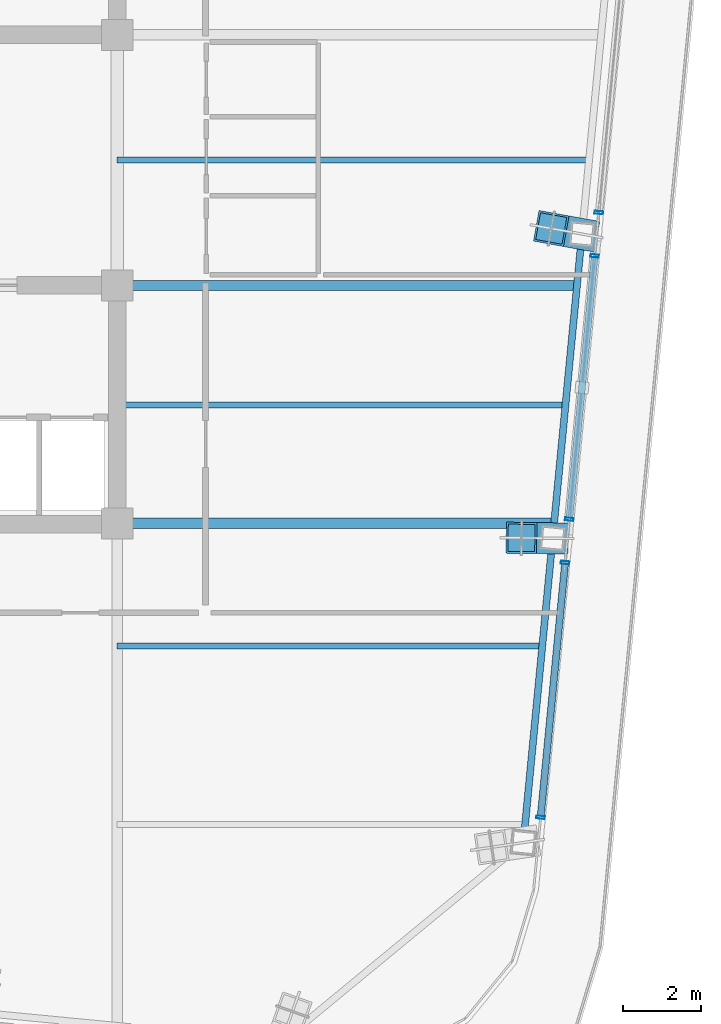
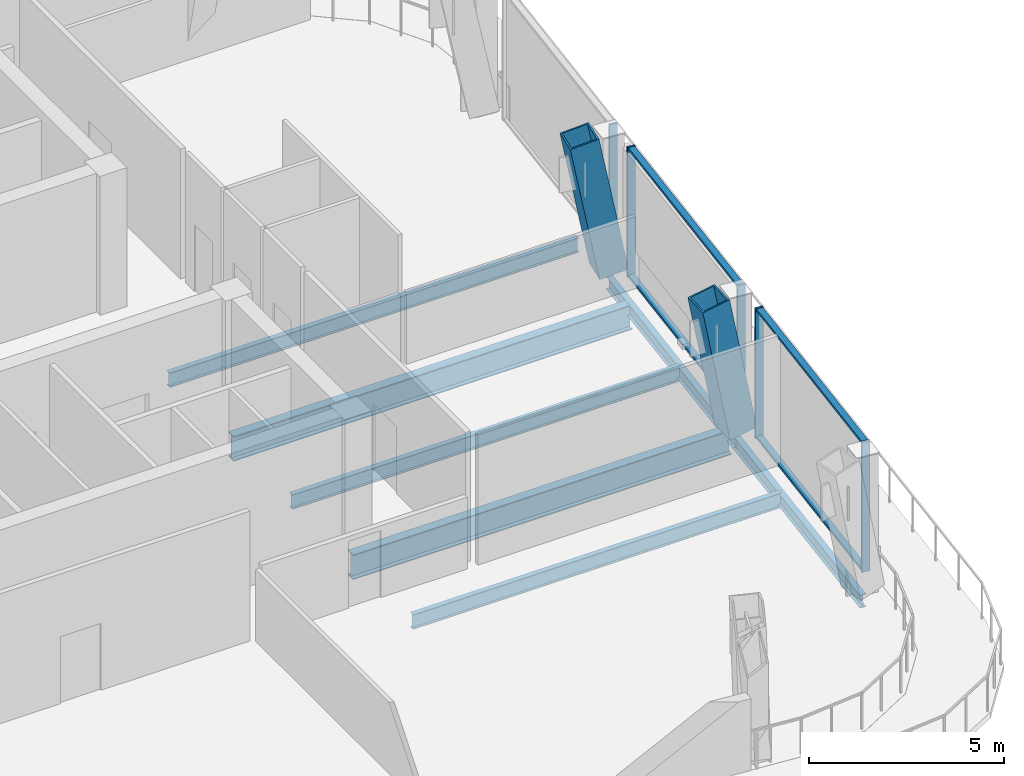
# One storey, part 6 of 19: 11 members, 7 beams, 3 elements without a shape of their own.
"""IFC4 building model written with IfcOpenShell, lengths in metres."""

from ifc_helpers import new_model, si_unit, direction, frame, origin, origin_2d, place, context, subcontext, project, spatial, hollow_rectangle, i_section, extrude, material, layer, layer_set, material_profile, profile_set, type_object, element, aggregate, save


model = new_model("IFC4")

# Units and contexts
model_context = context("Model", 3, precision=1e-05, world=origin(), true_north=direction((0.0, 1.0)))
body_context = subcontext(model_context, "Body", "Model", "MODEL_VIEW")
ifc_project = project(units=[si_unit("LENGTHUNIT", "METRE"), si_unit("AREAUNIT", "SQUARE_METRE"), si_unit("VOLUMEUNIT", "CUBIC_METRE"), si_unit("PLANEANGLEUNIT", "RADIAN"), si_unit("MASSUNIT", "GRAM", prefix="KILO")], contexts=[model_context])

# Site, building, storey
site_placement = place(None, origin())
site = spatial("IfcSite", under=ifc_project, at=site_placement, CompositionType="ELEMENT")
building_placement = place(site_placement, origin())
building = spatial("IfcBuilding", under=site, at=building_placement, Name="Qhalaya Broadcast Tower", CompositionType="ELEMENT")
storey_placement = place(building_placement, frame((0.0, 0.0, 280.550048828125)))
storey = spatial("IfcBuildingStorey", under=building, at=storey_placement, Name="L83", CompositionType="ELEMENT", Elevation=280.550048828125)

# Beams
ifc_material_1 = material(Name="Structural Steel ASTM A992 Grade 50", Category="steel")
ifc_material_profile_1 = material_profile(ifc_material_1, i_section(OverallWidth=0.154052734375, OverallDepth=0.458984375, WebThickness=0.009033203125, FlangeThickness=0.015380859375, at=origin_2d()), Name="W18X46")
ifc_profile_set_1 = profile_set([ifc_material_profile_1], Name="Structural Steel ASTM A992 Grade 50")
beam_type_1 = type_object("IfcBeamType", Name="Composite Floor Joist J04", PredefinedType="JOIST", material=ifc_profile_set_1)
beam_1_placement = place(storey_placement, frame((9.375, -11.89990234375, -0.41943359375), z_axis=(1.0, 0.0, 0.0), x_axis=(0.0, 1.0, 0.0)))
element("IfcBeam", 1, at=beam_1_placement, inside=storey, type_object=beam_type_1, Name="L83 J04 L83-JWE2E-1", PredefinedType="JOIST", context=body_context, shape_type="SweptSolid", body=[
    extrude(i_section(OverallWidth=0.154052734375, OverallDepth=0.458984375, WebThickness=0.009033203125, FlangeThickness=0.015380859375, at=origin_2d()), origin(), (0.0, 0.0, 1.0), 10.9208984375),
])
beam_2_placement = place(storey_placement, frame((9.375, -5.699951171875, -0.41943359375), z_axis=(1.0, 0.0, 0.0), x_axis=(0.0, 1.0, 0.0)))
element("IfcBeam", 2, at=beam_2_placement, inside=storey, type_object=beam_type_1, Name="L83 J04 L83-JWE3E-1", PredefinedType="JOIST", context=body_context, shape_type="SweptSolid", body=[
    extrude(i_section(OverallWidth=0.154052734375, OverallDepth=0.458984375, WebThickness=0.009033203125, FlangeThickness=0.015380859375, at=origin_2d()), origin(), (0.0, 0.0, 1.0), 11.517822265625),
])
beam_3_placement = place(storey_placement, frame((9.375, 0.60009765625, -0.41943359375), z_axis=(1.0, 0.0, 0.0), x_axis=(0.0, 1.0, 0.0)))
element("IfcBeam", 3, at=beam_3_placement, inside=storey, type_object=beam_type_1, Name="L83 J04 L83-JWE4E-1", PredefinedType="JOIST", context=body_context, shape_type="SweptSolid", body=[
    extrude(i_section(OverallWidth=0.154052734375, OverallDepth=0.458984375, WebThickness=0.009033203125, FlangeThickness=0.015380859375, at=origin_2d()), origin(), (0.0, 0.0, 1.0), 12.12451171875),
])
ifc_material_profile_2 = material_profile(ifc_material_1, i_section(OverallWidth=0.26708984375, OverallDepth=0.780029296875, WebThickness=0.0166015625, FlangeThickness=0.030029296875, at=origin_2d()), Name="W30X148")
ifc_profile_set_2 = profile_set([ifc_material_profile_2], Name="Structural Steel ASTM A992 Grade 50")
beam_type_2 = type_object("IfcBeamType", Name="Neck & Crown Primary Girder PG5", PredefinedType="USERDEFINED", material=ifc_profile_set_2)
beam_4_placement = place(storey_placement, frame((9.375, -8.75, -0.580078125), z_axis=(1.0, 0.0, 0.0), x_axis=(0.0, 1.0, 0.0)))
element("IfcBeam", 4, at=beam_4_placement, inside=storey, type_object=beam_type_2, Name="L83 PG5 L83-PGYE1-1", ObjectType="GIRDER", PredefinedType="USERDEFINED", context=body_context, shape_type="SweptSolid", body=[
    extrude(i_section(OverallWidth=0.26708984375, OverallDepth=0.780029296875, WebThickness=0.0166015625, FlangeThickness=0.030029296875, at=origin_2d()), origin(), (0.0, 0.0, 1.0), 11.22412109375),
])
beam_5_placement = place(storey_placement, frame((9.375, -2.625, -0.580078125), z_axis=(1.0, 0.0, 0.0), x_axis=(0.0, 1.0, 0.0)))
element("IfcBeam", 5, at=beam_5_placement, inside=storey, type_object=beam_type_2, Name="L83 PG5 L83-PGYE2-1", ObjectType="GIRDER", PredefinedType="USERDEFINED", context=body_context, shape_type="SweptSolid", body=[
    extrude(i_section(OverallWidth=0.26708984375, OverallDepth=0.780029296875, WebThickness=0.0166015625, FlangeThickness=0.030029296875, at=origin_2d()), origin(), (0.0, 0.0, 1.0), 11.81396484375),
])

# Curtain wall, members
ifc_material_2 = material(Name="Solar-Control Low-E Triple Glazing", Category="glass")
ifc_layer = layer(ifc_material_2, 0.219970703125, Name="Solar-Control Low-E Triple Glazing")
ifc_layer_set = layer_set([ifc_layer], Name="Solar-Control Low-E Triple Glazing")
curtain_wall_type = type_object("IfcCurtainWallType", Name="Crown Garden & Observation Windscreen Curtain Wall CW-06", PredefinedType="NOTDEFINED", material=ifc_layer_set)
curtain_wall_1_placement = place(storey_placement, origin())
curtain_wall_1 = element("IfcCurtainWall", 6, at=curtain_wall_1_placement, inside=storey, type_object=curtain_wall_type, Name="L83 Unitised Curtain Wall L83-CW-E1", PredefinedType="NOTDEFINED")
ifc_material_3 = material(Name="Anodised Aluminium 6063-T6", Category="aluminium")
ifc_material_profile_3 = material_profile(ifc_material_3, hollow_rectangle(XDim=0.074951171875, YDim=0.219970703125, WallThickness=0.00390625, at=origin_2d()), Name="ALU-MUL 75x220x4")
ifc_profile_set_3 = profile_set([ifc_material_profile_3], Name="Anodised Aluminium 6063-T6")
member_type_1 = type_object("IfcMemberType", Name="Unitised Curtain-Wall Mullion M01", PredefinedType="MULLION", material=ifc_profile_set_3)
member_1_placement = place(storey_placement, frame((20.272705078125, -16.315185546875, 0.0), z_axis=(0.0, 0.0, 1.0), x_axis=(0.095842545179, 0.995396507194, 0.0)))
member_1 = element("IfcMember", 7, at=member_1_placement, type_object=member_type_1, Name="CW-06 mullion 1", PredefinedType="MULLION", context=body_context, shape_type="SweptSolid", body=[
    extrude(hollow_rectangle(XDim=0.074951171875, YDim=0.219970703125, WallThickness=0.00390625, at=origin_2d()), origin(), (0.0, 0.0, 1.0), 4.070068359375),
])
member_2_placement = place(storey_placement, frame((20.90380859375, -9.758544921875, 0.0), z_axis=(0.0, 0.0, 1.0), x_axis=(0.095842545179, 0.995396507194, 0.0)))
member_2 = element("IfcMember", 8, at=member_2_placement, type_object=member_type_1, Name="CW-06 mullion 2", PredefinedType="MULLION", context=body_context, shape_type="SweptSolid", body=[
    extrude(hollow_rectangle(XDim=0.074951171875, YDim=0.219970703125, WallThickness=0.00390625, at=origin_2d()), origin(), (0.0, 0.0, 1.0), 4.070068359375),
])

curtain_wall_2_placement = place(storey_placement, origin())
curtain_wall_2 = element("IfcCurtainWall", 9, at=curtain_wall_2_placement, inside=storey, type_object=curtain_wall_type, Name="L83 Unitised Curtain Wall L83-CW-E2", PredefinedType="NOTDEFINED")
member_3_placement = place(storey_placement, frame((21.011474609375, -8.642578125, 0.0), z_axis=(0.0, 0.0, 1.0), x_axis=(0.095845544549, 0.995396218393, 0.0)))
member_3 = element("IfcMember", 10, at=member_3_placement, type_object=member_type_1, Name="CW-06 mullion 1", PredefinedType="MULLION", context=body_context, shape_type="SweptSolid", body=[
    extrude(hollow_rectangle(XDim=0.074951171875, YDim=0.219970703125, WallThickness=0.00390625, at=origin_2d()), origin(), (0.0, 0.0, 1.0), 4.070068359375),
])
member_4_placement = place(storey_placement, frame((21.6640625, -1.864990234375, 0.0), z_axis=(0.0, 0.0, 1.0), x_axis=(0.095845544549, 0.995396218393, 0.0)))
member_4 = element("IfcMember", 11, at=member_4_placement, type_object=member_type_1, Name="CW-06 mullion 2", PredefinedType="MULLION", context=body_context, shape_type="SweptSolid", body=[
    extrude(hollow_rectangle(XDim=0.074951171875, YDim=0.219970703125, WallThickness=0.00390625, at=origin_2d()), origin(), (0.0, 0.0, 1.0), 4.070068359375),
])

# Curtain wall, member
curtain_wall_3_placement = place(storey_placement, origin())
curtain_wall_3 = element("IfcCurtainWall", 12, at=curtain_wall_3_placement, inside=storey, type_object=curtain_wall_type, Name="L83 Unitised Curtain Wall L83-CW-E3", PredefinedType="NOTDEFINED")
member_5_placement = place(storey_placement, frame((21.771484375, -0.7490234375, 0.0), z_axis=(0.0, 0.0, 1.0), x_axis=(0.095842545179, 0.995396507194, 0.0)))
member_5 = element("IfcMember", 13, at=member_5_placement, type_object=member_type_1, Name="CW-06 mullion 1", PredefinedType="MULLION", context=body_context, shape_type="SweptSolid", body=[
    extrude(hollow_rectangle(XDim=0.074951171875, YDim=0.219970703125, WallThickness=0.00390625, at=origin_2d()), origin(), (0.0, 0.0, 1.0), 4.070068359375),
])
aggregate(curtain_wall_3, [member_5])

# Member
ifc_material_profile_4 = material_profile(ifc_material_3, hollow_rectangle(XDim=0.074951171875, YDim=0.179931640625, WallThickness=0.00390625, at=origin_2d()), Name="ALU-TRN 75x180x4")
ifc_profile_set_4 = profile_set([ifc_material_profile_4], Name="Anodised Aluminium 6063-T6")
member_type_2 = type_object("IfcMemberType", Name="Unitised Curtain-Wall Transom T01", PredefinedType="USERDEFINED", material=ifc_profile_set_4)
member_6_placement = place(storey_placement, frame((20.276123046875, -16.27783203125, 0.037353515625), z_axis=(0.095861705812, 0.995394662111, 0.0), x_axis=(0.0, 0.0, 1.0)))
member_6 = element("IfcMember", 14, at=member_6_placement, type_object=member_type_2, Name="CW-06 transom 1.1", ObjectType="TRANSOM", PredefinedType="USERDEFINED", context=body_context, shape_type="SweptSolid", body=[
    extrude(hollow_rectangle(XDim=0.074951171875, YDim=0.179931640625, WallThickness=0.00390625, at=origin_2d()), origin(), (0.0, 0.0, 1.0), 6.51220703125),
])

member_7_placement = place(storey_placement, frame((20.276123046875, -16.27783203125, 4.032470703125), z_axis=(0.095861705812, 0.995394662111, 0.0), x_axis=(0.0, 0.0, 1.0)))
member_7 = element("IfcMember", 15, at=member_7_placement, type_object=member_type_2, Name="CW-06 transom 1.2", ObjectType="TRANSOM", PredefinedType="USERDEFINED", context=body_context, shape_type="SweptSolid", body=[
    extrude(hollow_rectangle(XDim=0.074951171875, YDim=0.179931640625, WallThickness=0.00390625, at=origin_2d()), origin(), (0.0, 0.0, 1.0), 6.51220703125),
])

aggregate(curtain_wall_1, [member_1, member_2, member_6, member_7])

member_8_placement = place(storey_placement, frame((21.014892578125, -8.605224609375, 0.037353515625), z_axis=(0.095859553259, 0.995394869411, 0.0), x_axis=(0.0, 0.0, 1.0)))
member_8 = element("IfcMember", 16, at=member_8_placement, type_object=member_type_2, Name="CW-06 transom 1.1", ObjectType="TRANSOM", PredefinedType="USERDEFINED", context=body_context, shape_type="SweptSolid", body=[
    extrude(hollow_rectangle(XDim=0.074951171875, YDim=0.179931640625, WallThickness=0.00390625, at=origin_2d()), origin(), (0.0, 0.0, 1.0), 6.73388671875),
])

member_9_placement = place(storey_placement, frame((21.014892578125, -8.605224609375, 4.032470703125), z_axis=(0.095859553259, 0.995394869411, 0.0), x_axis=(0.0, 0.0, 1.0)))
member_9 = element("IfcMember", 17, at=member_9_placement, type_object=member_type_2, Name="CW-06 transom 1.2", ObjectType="TRANSOM", PredefinedType="USERDEFINED", context=body_context, shape_type="SweptSolid", body=[
    extrude(hollow_rectangle(XDim=0.074951171875, YDim=0.179931640625, WallThickness=0.00390625, at=origin_2d()), origin(), (0.0, 0.0, 1.0), 6.73388671875),
])

aggregate(curtain_wall_2, [member_3, member_4, member_8, member_9])

# Members
ifc_material_4 = material(Name="Structural Steel ASTM A572 Grade 50", Category="steel")
ifc_material_profile_5 = material_profile(ifc_material_4, hollow_rectangle(XDim=0.800048828125, YDim=0.800048828125, WallThickness=0.050048828125, at=origin_2d()), Name="BOX 800x800x50")
ifc_profile_set_5 = profile_set([ifc_material_profile_5], Name="Structural Steel ASTM A572 Grade 50")
member_type_3 = type_object("IfcMemberType", Name="Upper Exoskeleton Transfer Strut RK2", PredefinedType="BRACE", material=ifc_profile_set_5)
for number, where, z_axis, x_axis, name in (
    (18, (20.58251953125, -9.132568359375, 0.083984375), (-0.184929798256, 0.002362241949, 0.982748894443), (-0.012772680624, -0.999918425988, 0.0), "L83 Inclined Exoskeleton Transfer Strut 06"),
    (19, (21.33642578125, -1.302001953125, 0.083984375), (-0.182004431459, 0.032958775289, 0.982745188775), (-0.178189663186, -0.983996160528, 0.0), "L83 Inclined Exoskeleton Transfer Strut 07"),
):
    element("IfcMember", number, at=place(storey_placement, frame(where, z_axis=z_axis, x_axis=x_axis)), inside=storey, type_object=member_type_3, Name=name, PredefinedType="BRACE", context=body_context, shape_type="SweptSolid", body=[
        extrude(hollow_rectangle(XDim=0.800048828125, YDim=0.800048828125, WallThickness=0.050048828125, at=origin_2d()), origin(), (0.0, 0.0, 1.0), 4.3408203125),
    ])

# Beams
ifc_material_profile_6 = material_profile(ifc_material_1, i_section(OverallWidth=0.177978515625, OverallDepth=0.406005859375, WebThickness=0.0078125, FlangeThickness=0.0126953125, at=origin_2d()), Name="W16X40")
ifc_profile_set_6 = profile_set([ifc_material_profile_6], Name="Structural Steel ASTM A992 Grade 50")
beam_type_3 = type_object("IfcBeamType", Name="Upper Perimeter Spandrel Beam SP2", PredefinedType="SPANDREL", material=ifc_profile_set_6)
beam_6_placement = place(storey_placement, frame((19.82861328125, -16.962890625, -0.39306640625), z_axis=(0.095837184179, 0.995397023367, 0.0), x_axis=(-0.995397023367, 0.095837184179, 0.0)))
element("IfcBeam", 20, at=beam_6_placement, inside=storey, type_object=beam_type_3, Name="L83 SP2 L83-SPR-05", PredefinedType="SPANDREL", context=body_context, shape_type="SweptSolid", body=[
    extrude(i_section(OverallWidth=0.177978515625, OverallDepth=0.406005859375, WebThickness=0.0078125, FlangeThickness=0.0126953125, at=origin_2d()), origin(), (0.0, 0.0, 1.0), 7.866455078125),
])
beam_7_placement = place(storey_placement, frame((20.58251953125, -9.132568359375, -0.39306640625), z_axis=(0.095834223619, 0.995397308407, 0.0), x_axis=(-0.995397308407, 0.095834223619, 0.0)))
element("IfcBeam", 21, at=beam_7_placement, inside=storey, type_object=beam_type_3, Name="L83 SP2 L83-SPR-06", PredefinedType="SPANDREL", context=body_context, shape_type="SweptSolid", body=[
    extrude(i_section(OverallWidth=0.177978515625, OverallDepth=0.406005859375, WebThickness=0.0078125, FlangeThickness=0.0126953125, at=origin_2d()), origin(), (0.0, 0.0, 1.0), 7.86669921875),
])

save(model, "model.ifc")
